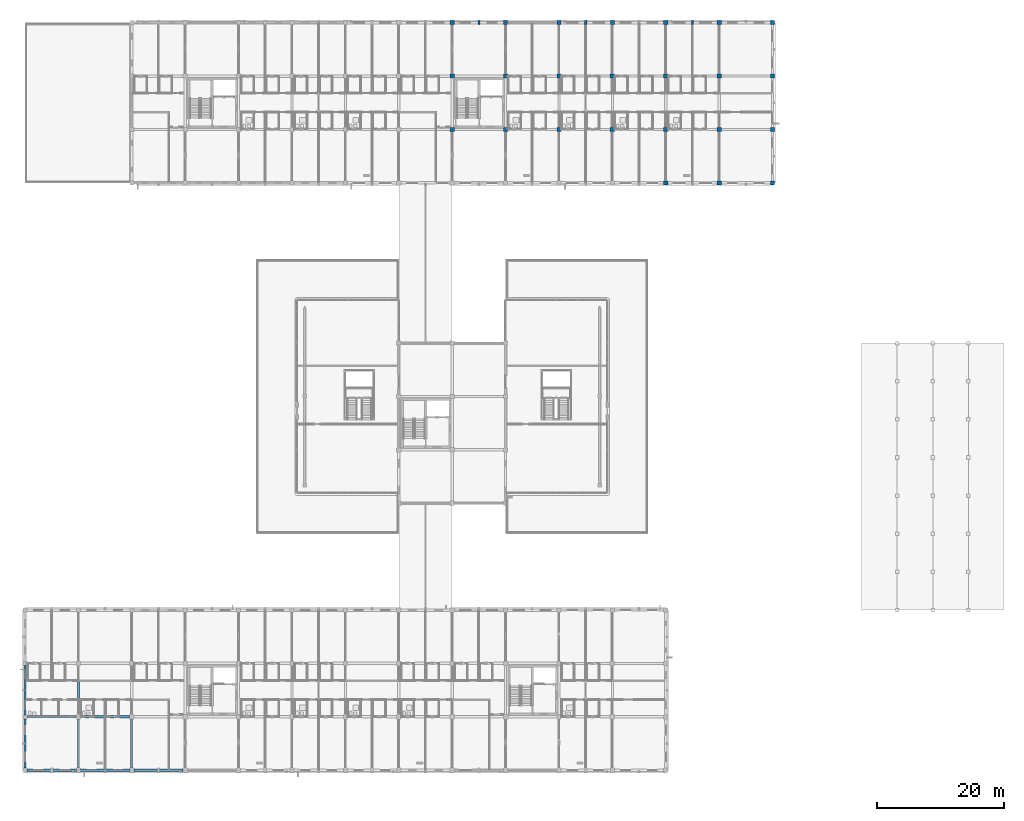
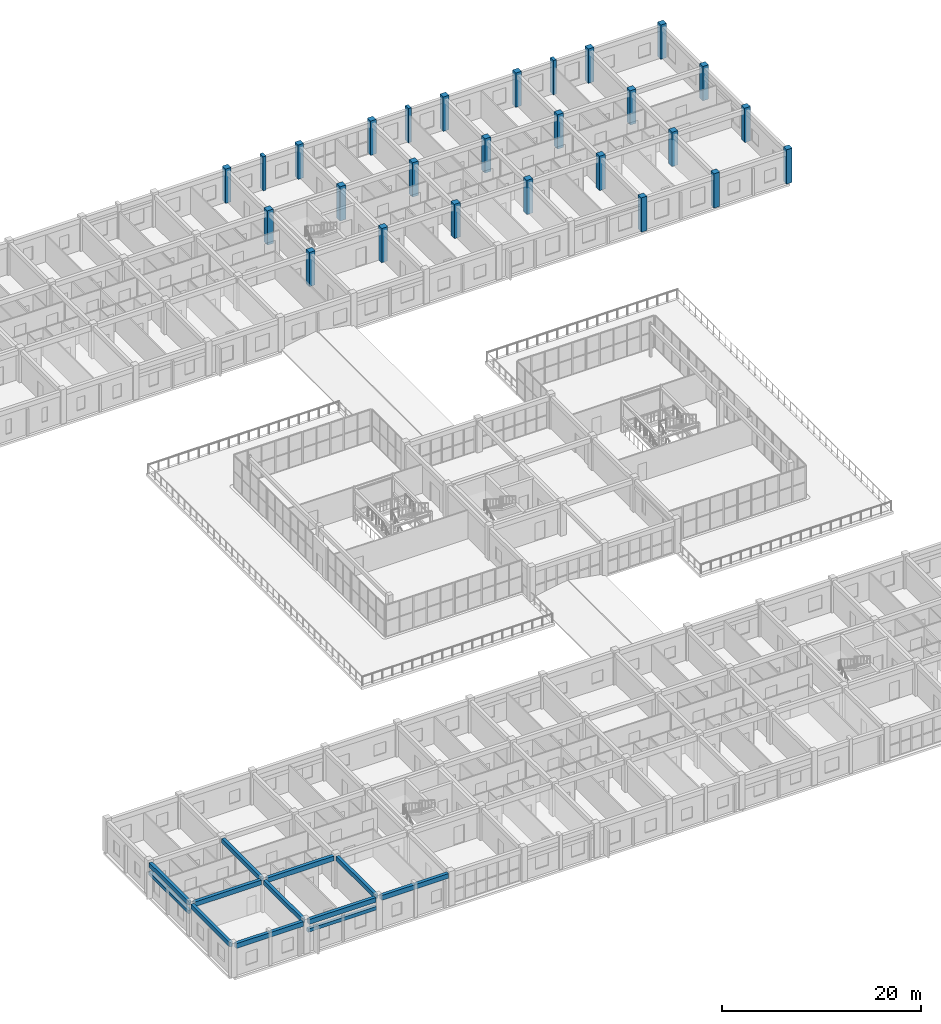
# One storey, part 9 of 90: 27 columns, 12 beams.
"""IFC4 building model written with IfcOpenShell, lengths in metres."""

from ifc_helpers import new_model, si_unit, direction, frame, origin, origin_2d, place, context, subcontext, project, spatial, rectangle, extrude, material, material_profile, profile_set, type_object, element, save


model = new_model("IFC4")

# Units and contexts
model_context = context("Model", 3, precision=1e-05, world=origin(), true_north=direction((0.0, 1.0)))
body_context = subcontext(model_context, "Body", "Model", "MODEL_VIEW")
ifc_project = project(units=[si_unit("LENGTHUNIT", "METRE"), si_unit("AREAUNIT", "SQUARE_METRE"), si_unit("VOLUMEUNIT", "CUBIC_METRE"), si_unit("PLANEANGLEUNIT", "RADIAN"), si_unit("MASSUNIT", "GRAM", prefix="KILO")], contexts=[model_context])

# Site, building, storey
site_placement = place(None, origin())
site = spatial("IfcSite", under=ifc_project, at=site_placement, CompositionType="ELEMENT")
building_placement = place(site_placement, origin())
building = spatial("IfcBuilding", under=site, at=building_placement, Name="Trelvath General Hospital", CompositionType="ELEMENT")
storey_placement = place(building_placement, frame((0.0, 0.0, 20.39990234375)))
storey = spatial("IfcBuildingStorey", under=building, at=storey_placement, Name="L05", CompositionType="ELEMENT", Elevation=20.39990234375)

# Columns
ifc_material_1 = material(Name="Concrete C40/50", Category="concrete")
ifc_material_profile_1 = material_profile(ifc_material_1, rectangle(XDim=0.64990234375, YDim=0.64990234375, at=origin_2d()), Name="RC650x650")
ifc_profile_set_1 = profile_set([ifc_material_profile_1], Name="Concrete C40/50")
column_type_1 = type_object("IfcColumnType", Name="Column RC650", PredefinedType="COLUMN", material=ifc_profile_set_1)
for number, where, z_axis, x_axis, name in (
    (1, (84.0, 117.60009765625, 0.0), (0.0, 0.0, 1.0), (1.0, 0.0, 0.0), "Column C-11O L05"),
    (2, (92.39990234375, 117.60009765625, 0.0), (0.0, 0.0, 1.0), (1.0, 0.0, 0.0), "Column C-12O L05"),
    (3, (100.800048828125, 117.60009765625, 0.0), (0.0, 0.0, 1.0), (1.0, 0.0, 0.0), "Column C-13O L05"),
    (4, (109.199951171875, 117.60009765625, 0.0), (0.0, 0.0, 1.0), (1.0, 0.0, 0.0), "Column C-14O L05"),
    (5, (117.60009765625, 92.39990234375, 0.0), (0.0, 0.0, 1.0), (1.0, 0.0, 0.0), "Column C-15L L05"),
    (6, (117.60009765625, 117.60009765625, 0.0), (0.0, 0.0, 1.0), (1.0, 0.0, 0.0), "Column C-15O L05"),
    (7, (126.0, 92.39990234375, 0.0), (0.0, 0.0, 1.0), (1.0, 0.0, 0.0), "Column C-16L L05"),
    (8, (126.0, 117.60009765625, 0.0), (0.0, 0.0, 1.0), (1.0, 0.0, 0.0), "Column C-16O L05"),
    (9, (134.39990234375, 92.39990234375, 0.0), (0.0, 0.0, 1.0), (1.0, 0.0, 0.0), "Column C-17L L05"),
    (10, (134.39990234375, 100.800048828125, 0.0), (0.0, 0.0, 1.0), (1.0, 0.0, 0.0), "Column C-17M L05"),
    (11, (134.39990234375, 109.199951171875, 0.0), (0.0, 0.0, 1.0), (1.0, 0.0, 0.0), "Column C-17N L05"),
    (12, (134.39990234375, 117.60009765625, 0.0), (0.0, 0.0, 1.0), (1.0, 0.0, 0.0), "Column C-17O L05"),
):
    element("IfcColumn", number, at=place(storey_placement, frame(where, z_axis=z_axis, x_axis=x_axis)), inside=storey, type_object=column_type_1, Name=name, PredefinedType="COLUMN", context=body_context, shape_type="SweptSolid", body=[
        extrude(rectangle(XDim=0.64990234375, YDim=0.64990234375, at=origin_2d()), origin(), (0.0, 0.0, 1.0), 4.2001953125),
    ])
ifc_material_2 = material(Name="Concrete C40/50", Category="concrete")
ifc_material_profile_2 = material_profile(ifc_material_2, rectangle(XDim=0.679931640625, YDim=0.679931640625, at=origin_2d()), Name="RC680x680")
ifc_profile_set_2 = profile_set([ifc_material_profile_2], Name="Concrete C40/50")
column_type_2 = type_object("IfcColumnType", Name="Column RC680", PredefinedType="COLUMN", material=ifc_profile_set_2)
for number, where, z_axis, x_axis, name in (
    (13, (84.0, 100.800048828125, 0.0), (0.0, 0.0, 1.0), (1.0, 0.0, 0.0), "Column C-11M L05"),
    (14, (84.0, 109.199951171875, 0.0), (0.0, 0.0, 1.0), (1.0, 0.0, 0.0), "Column C-11N L05"),
    (15, (92.39990234375, 100.800048828125, 0.0), (0.0, 0.0, 1.0), (1.0, 0.0, 0.0), "Column C-12M L05"),
    (16, (92.39990234375, 109.199951171875, 0.0), (0.0, 0.0, 1.0), (1.0, 0.0, 0.0), "Column C-12N L05"),
    (17, (100.800048828125, 100.800048828125, 0.0), (0.0, 0.0, 1.0), (1.0, 0.0, 0.0), "Column C-13M L05"),
    (18, (100.800048828125, 109.199951171875, 0.0), (0.0, 0.0, 1.0), (1.0, 0.0, 0.0), "Column C-13N L05"),
    (19, (109.199951171875, 100.800048828125, 0.0), (0.0, 0.0, 1.0), (1.0, 0.0, 0.0), "Column C-14M L05"),
    (20, (109.199951171875, 109.199951171875, 0.0), (0.0, 0.0, 1.0), (1.0, 0.0, 0.0), "Column C-14N L05"),
    (21, (117.60009765625, 100.800048828125, 0.0), (0.0, 0.0, 1.0), (1.0, 0.0, 0.0), "Column C-15M L05"),
    (22, (117.60009765625, 109.199951171875, 0.0), (0.0, 0.0, 1.0), (1.0, 0.0, 0.0), "Column C-15N L05"),
    (23, (126.0, 100.800048828125, 0.0), (0.0, 0.0, 1.0), (1.0, 0.0, 0.0), "Column C-16M L05"),
    (24, (126.0, 109.199951171875, 0.0), (0.0, 0.0, 1.0), (1.0, 0.0, 0.0), "Column C-16N L05"),
):
    element("IfcColumn", number, at=place(storey_placement, frame(where, z_axis=z_axis, x_axis=x_axis)), inside=storey, type_object=column_type_2, Name=name, PredefinedType="COLUMN", context=body_context, shape_type="SweptSolid", body=[
        extrude(rectangle(XDim=0.679931640625, YDim=0.679931640625, at=origin_2d()), origin(), (0.0, 0.0, 1.0), 4.2001953125),
    ])
ifc_material_3 = material(Name="Concrete C40/50", Category="concrete")
ifc_material_profile_3 = material_profile(ifc_material_3, rectangle(XDim=0.35009765625, YDim=0.64990234375, at=origin_2d()), Name="RC350x650")
ifc_profile_set_3 = profile_set([ifc_material_profile_3], Name="Concrete C40/50")
column_type_3 = type_object("IfcColumnType", Name="Pilaster RC350x650", PredefinedType="PILASTER", material=ifc_profile_set_3)
for number, where, z_axis, x_axis, name in (
    (25, (88.199951171875, 117.60009765625, 0.0), (0.0, 0.0, 1.0), (1.0, 0.0, 0.0), "Facade Pilaster PL-N10 L05"),
    (26, (105.0, 117.60009765625, 0.0), (0.0, 0.0, 1.0), (1.0, 0.0, 0.0), "Facade Pilaster PL-N12 L05"),
    (27, (121.800048828125, 117.60009765625, 0.0), (0.0, 0.0, 1.0), (1.0, 0.0, 0.0), "Facade Pilaster PL-N14 L05"),
):
    element("IfcColumn", number, at=place(storey_placement, frame(where, z_axis=z_axis, x_axis=x_axis)), inside=storey, type_object=column_type_3, Name=name, PredefinedType="PILASTER", context=body_context, shape_type="SweptSolid", body=[
        extrude(rectangle(XDim=0.35009765625, YDim=0.64990234375, at=origin_2d()), origin(), (0.0, 0.0, 1.0), 4.2001953125),
    ])

# Beams
ifc_material_4 = material(Name="Concrete C35/45", Category="concrete")
ifc_material_profile_4 = material_profile(ifc_material_4, rectangle(XDim=0.35009765625, YDim=0.550048828125, at=origin_2d()), Name="RCB350x550")
ifc_profile_set_4 = profile_set([ifc_material_profile_4], Name="Concrete C35/45")
beam_type_1 = type_object("IfcBeamType", Name="Beam RC350x550", PredefinedType="BEAM", material=ifc_profile_set_4)
for number, where, z_axis, x_axis, name in (
    (28, (16.800048828125, 0.320068359375, 3.64501953125), (0.0, 1.0, 0.0), (-1.0, 0.0, 0.0), "Grid Beam BY-502A"),
    (29, (16.800048828125, 8.719970703125, 3.64501953125), (0.0, 1.0, 0.0), (-1.0, 0.0, 0.0), "Grid Beam BY-502B"),
):
    element("IfcBeam", number, at=place(storey_placement, frame(where, z_axis=z_axis, x_axis=x_axis)), inside=storey, type_object=beam_type_1, Name=name, PredefinedType="BEAM", context=body_context, shape_type="SweptSolid", body=[
        extrude(rectangle(XDim=0.35009765625, YDim=0.550048828125, at=origin_2d()), origin(), (0.0, 0.0, 1.0), 7.760009765625),
    ])
beam_1_placement = place(storey_placement, frame((25.199951171875, 0.320068359375, 3.64501953125), z_axis=(0.0, 1.0, 0.0), x_axis=(-1.0, 0.0, 0.0)))
element("IfcBeam", 30, at=beam_1_placement, inside=storey, type_object=beam_type_1, Name="Grid Beam BY-503A", PredefinedType="BEAM", context=body_context, shape_type="SweptSolid", body=[
    extrude(rectangle(XDim=0.35009765625, YDim=0.550048828125, at=origin_2d()), origin(), (0.0, 0.0, 1.0), 7.744873046875),
])
beam_2_placement = place(storey_placement, frame((25.199951171875, 8.735107421875, 3.64501953125), z_axis=(0.0, 1.0, 0.0), x_axis=(-1.0, 0.0, 0.0)))
element("IfcBeam", 31, at=beam_2_placement, inside=storey, type_object=beam_type_1, Name="Grid Beam BY-503B", PredefinedType="BEAM", context=body_context, shape_type="SweptSolid", body=[
    extrude(rectangle(XDim=0.35009765625, YDim=0.550048828125, at=origin_2d()), origin(), (0.0, 0.0, 1.0), 7.72998046875),
])
beam_3_placement = place(storey_placement, frame((33.60009765625, 0.320068359375, 3.64501953125), z_axis=(0.0, 1.0, 0.0), x_axis=(-1.0, 0.0, 0.0)))
element("IfcBeam", 32, at=beam_3_placement, inside=storey, type_object=beam_type_1, Name="Grid Beam BY-504A", PredefinedType="BEAM", context=body_context, shape_type="SweptSolid", body=[
    extrude(rectangle(XDim=0.35009765625, YDim=0.550048828125, at=origin_2d()), origin(), (0.0, 0.0, 1.0), 7.744873046875),
])
ifc_material_5 = material(Name="Concrete C35/45", Category="concrete")
ifc_material_profile_5 = material_profile(ifc_material_5, rectangle(XDim=0.3798828125, YDim=0.580078125, at=origin_2d()), Name="RCB380x580")
ifc_profile_set_5 = profile_set([ifc_material_profile_5], Name="Concrete C35/45")
beam_type_2 = type_object("IfcBeamType", Name="Beam RC380x580", PredefinedType="BEAM", material=ifc_profile_set_5)
beam_4_placement = place(storey_placement, frame((17.1201171875, 0.0, 3.630126953125), z_axis=(1.0, 0.0, 0.0), x_axis=(0.0, 1.0, 0.0)))
element("IfcBeam", 33, at=beam_4_placement, inside=storey, type_object=beam_type_2, Name="Grid Beam BX-502A", PredefinedType="BEAM", context=body_context, shape_type="SweptSolid", body=[
    extrude(rectangle(XDim=0.3798828125, YDim=0.580078125, at=origin_2d()), origin(), (0.0, 0.0, 1.0), 7.759765625),
])
beam_5_placement = place(storey_placement, frame((17.1201171875, 8.39990234375, 3.630126953125), z_axis=(1.0, 0.0, 0.0), x_axis=(0.0, 1.0, 0.0)))
element("IfcBeam", 34, at=beam_5_placement, inside=storey, type_object=beam_type_2, Name="Grid Beam BX-502B", PredefinedType="BEAM", context=body_context, shape_type="SweptSolid", body=[
    extrude(rectangle(XDim=0.3798828125, YDim=0.580078125, at=origin_2d()), origin(), (0.0, 0.0, 1.0), 7.744873046875),
])
beam_6_placement = place(storey_placement, frame((25.52001953125, 0.0, 3.630126953125), z_axis=(1.0, 0.0, 0.0), x_axis=(0.0, 1.0, 0.0)))
element("IfcBeam", 35, at=beam_6_placement, inside=storey, type_object=beam_type_2, Name="Grid Beam BX-503A", PredefinedType="BEAM", context=body_context, shape_type="SweptSolid", body=[
    extrude(rectangle(XDim=0.3798828125, YDim=0.580078125, at=origin_2d()), origin(), (0.0, 0.0, 1.0), 7.760009765625),
])
beam_7_placement = place(storey_placement, frame((25.534912109375, 8.39990234375, 3.630126953125), z_axis=(1.0, 0.0, 0.0), x_axis=(0.0, 1.0, 0.0)))
element("IfcBeam", 36, at=beam_7_placement, inside=storey, type_object=beam_type_2, Name="Grid Beam BX-503B", PredefinedType="BEAM", context=body_context, shape_type="SweptSolid", body=[
    extrude(rectangle(XDim=0.3798828125, YDim=0.580078125, at=origin_2d()), origin(), (0.0, 0.0, 1.0), 7.72998046875),
])
beam_8_placement = place(storey_placement, frame((33.919921875, 0.0, 3.630126953125), z_axis=(1.0, 0.0, 0.0), x_axis=(0.0, 1.0, 0.0)))
element("IfcBeam", 37, at=beam_8_placement, inside=storey, type_object=beam_type_2, Name="Grid Beam BX-504A", PredefinedType="BEAM", context=body_context, shape_type="SweptSolid", body=[
    extrude(rectangle(XDim=0.3798828125, YDim=0.580078125, at=origin_2d()), origin(), (0.0, 0.0, 1.0), 7.760009765625),
])
ifc_material_6 = material(Name="Precast concrete C40/50", Category="concrete")
ifc_material_profile_6 = material_profile(ifc_material_6, rectangle(XDim=0.35009765625, YDim=0.419921875, at=origin_2d()), Name="PCL350x420")
ifc_profile_set_6 = profile_set([ifc_material_profile_6], Name="Precast concrete C40/50")
beam_type_3 = type_object("IfcBeamType", Name="Lintel PC350x420", PredefinedType="LINTEL", material=ifc_profile_set_6)
for number, where, z_axis, x_axis, name in (
    (38, (16.800048828125, 8.639892578125, 2.590087890625), (0.0, 1.0, 0.0), (-1.0, 0.0, 0.0), "Precast Window Brow Lintel L05-490"),
    (39, (33.360107421875, 0.0, 2.590087890625), (-1.0, 0.0, 0.0), (0.0, -1.0, 0.0), "Precast Window Brow Lintel L05-493"),
):
    element("IfcBeam", number, at=place(storey_placement, frame(where, z_axis=z_axis, x_axis=x_axis)), inside=storey, type_object=beam_type_3, Name=name, PredefinedType="LINTEL", context=body_context, shape_type="SweptSolid", body=[
        extrude(rectangle(XDim=0.35009765625, YDim=0.419921875, at=origin_2d()), origin(), (0.0, 0.0, 1.0), 7.920166015625),
    ])

save(model, "model.ifc")
